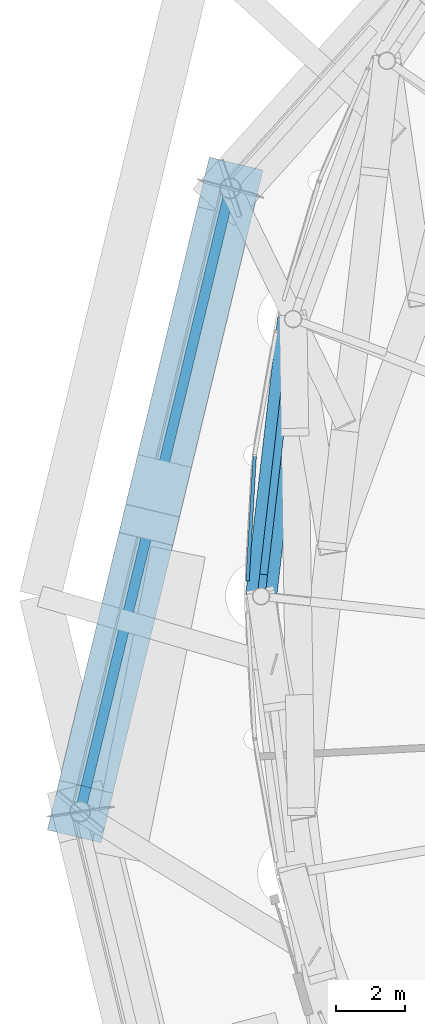
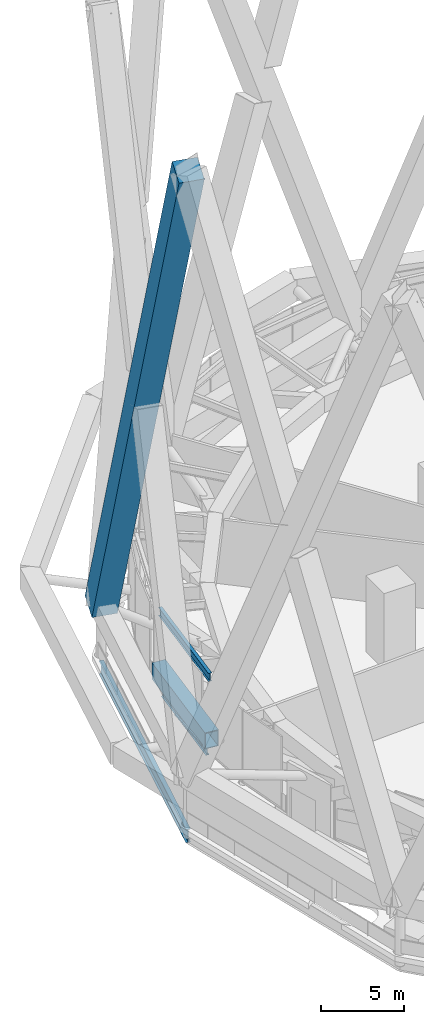
# One storey, part 19 of 65: 4 beams, 2 members, 1 element without a shape of its own.
"""IFC4 building model written with IfcOpenShell, lengths in metres."""

import ifcopenshell
import ifcopenshell.guid

model = None  # the IFC model being written
_history = None  # IfcOwnerHistory: only IFC2X3 demands one
_inside = {}  # id of a spatial element -> (the spatial element, [elements in it])
_under = {}  # id of a project, library or spatial element -> (it, [spatial elements below it])
_declared = {}  # id of a project -> (the project, [libraries it declares])
_typed = {}  # id of a type object -> (the type object, [elements of that type])
_made_of = {}  # id of a material, layer set ... -> (it, [elements and type objects made of it])


def new_model(schema):
    """Start an empty IFC model of exactly this schema.

    Asked for "IFC4X3", IfcOpenShell would pick the latest addendum, in which some entities
    have other attributes; the version numbers below select the first issue.
    IFC2X3 requires an IfcOwnerHistory on every rooted entity: one is made here for all.
    """
    global model, _history
    if schema == "IFC4X3":
        model = ifcopenshell.file(schema_version=(4, 3, 0, 0))
    else:
        model = ifcopenshell.file(schema=schema)
    _inside.clear()
    _under.clear()
    _declared.clear()
    _typed.clear()
    _made_of.clear()
    _history = None
    if model.schema == "IFC2X3":
        org = make("IfcOrganization", Name="unknown")
        user = make(
            "IfcPersonAndOrganization",
            ThePerson=make("IfcPerson", FamilyName="unknown"),
            TheOrganization=org,
        )
        app = make(
            "IfcApplication",
            ApplicationDeveloper=org,
            Version="unknown",
            ApplicationFullName="unknown",
            ApplicationIdentifier="unknown",
        )
        _history = make(
            "IfcOwnerHistory",
            OwningUser=user,
            OwningApplication=app,
            ChangeAction="ADDED",
            CreationDate=0,
        )
    return model


def make(cls, **values):
    """One entity of the class cls with the attributes given. An attribute that is None is left unset."""
    return model.create_entity(
        cls, **{name: value for name, value in values.items() if value is not None}
    )


def rooted(cls, **values):
    """An entity with a GlobalId (a new one), such as an element, a storey or a relation."""
    return make(cls, GlobalId=ifcopenshell.guid.new(), OwnerHistory=_history, **values)


def si_unit(unit_type, name, prefix=None):
    """IfcSIUnit, for example si_unit("LENGTHUNIT", "METRE", prefix="MILLI")."""
    return make("IfcSIUnit", UnitType=unit_type, Prefix=prefix, Name=name)


def assignment(units):
    """IfcUnitAssignment: the units of a project."""
    return None if units is None else make("IfcUnitAssignment", Units=units)


def point(xyz):
    """IfcCartesianPoint."""
    return None if xyz is None else make("IfcCartesianPoint", Coordinates=xyz)


def direction(xyz):
    """IfcDirection."""
    return None if xyz is None else make("IfcDirection", DirectionRatios=xyz)


def frame(location, z_axis=None, x_axis=None):
    """IfcAxis2Placement3D, a coordinate frame: its origin and axes. An axis left out is left unset."""
    return make(
        "IfcAxis2Placement3D",
        Location=point(location),
        Axis=direction(z_axis),
        RefDirection=direction(x_axis),
    )


def frame_2d(location, x_axis=None):
    """IfcAxis2Placement2D, a coordinate frame in the plane: its origin and x axis."""
    return make(
        "IfcAxis2Placement2D", Location=point(location), RefDirection=direction(x_axis)
    )


def origin():
    """The frame at (0, 0, 0) with its axes left unset."""
    return frame((0.0, 0.0, 0.0))


def origin_2d():
    """The frame at (0, 0) in the plane with its x axis left unset."""
    return frame_2d((0.0, 0.0))


def place(relative_to, where):
    """IfcLocalPlacement: puts the frame where relative to a parent placement (None: the world)."""
    return make(
        "IfcLocalPlacement", PlacementRelTo=relative_to, RelativePlacement=where
    )


def context(
    kind, dimensions, precision=None, world=None, true_north=None, identifier=None
):
    """IfcGeometricRepresentationContext, for example the 3D "Model" context."""
    return make(
        "IfcGeometricRepresentationContext",
        ContextIdentifier=identifier,
        ContextType=kind,
        CoordinateSpaceDimension=dimensions,
        Precision=precision,
        WorldCoordinateSystem=world,
        TrueNorth=true_north,
    )


def subcontext(parent, identifier, kind, view, scale=None):
    """IfcGeometricRepresentationSubContext, for example "Body" below "Model"."""
    return make(
        "IfcGeometricRepresentationSubContext",
        ContextIdentifier=identifier,
        ContextType=kind,
        ParentContext=parent,
        TargetScale=scale,
        TargetView=view,
    )


def project(units=None, contexts=None):
    """IfcProject with its units and contexts."""
    return rooted(
        "IfcProject",
        Name="project",
        RepresentationContexts=contexts,
        UnitsInContext=assignment(units),
    )


def spatial(cls, under=None, at=None, **own):
    """A site, building, storey or space (cls), placed at a placement, below another one or the project."""
    s = rooted(cls, ObjectPlacement=at, **own)
    if under is not None:
        _under.setdefault(under.id(), (under, []))[1].append(s)
    return s


def profile(cls, at=None, kind="AREA", **sizes):
    """A parametric profile (cls). Its sizes go by their IFC names, for example OverallWidth=200.0."""
    return make(cls, ProfileType=kind, Position=at, **sizes)


def rectangle(**sizes):
    """IfcRectangleProfileDef."""
    return profile("IfcRectangleProfileDef", **sizes)


def hollow_rectangle(**sizes):
    """IfcRectangleHollowProfileDef."""
    return profile("IfcRectangleHollowProfileDef", **sizes)


def i_section(**sizes):
    """IfcIShapeProfileDef."""
    return profile("IfcIShapeProfileDef", **sizes)


def extrude(swept, where, along, depth):
    """IfcExtrudedAreaSolid: the profile swept, set in the frame where, extruded along a direction by depth."""
    return make(
        "IfcExtrudedAreaSolid",
        SweptArea=swept,
        Position=where,
        ExtrudedDirection=direction(along),
        Depth=depth,
    )


def shape(context_of_items, identifier, shape_type, items):
    """IfcShapeRepresentation: the items that make up one representation, for example the "Body"."""
    return make(
        "IfcShapeRepresentation",
        ContextOfItems=context_of_items,
        RepresentationIdentifier=identifier,
        RepresentationType=shape_type,
        Items=items,
    )


def material(Name=None, Category=None):
    """IfcMaterial."""
    return make("IfcMaterial", Name=Name, Category=Category)


def layer(
    of_material, thickness, ventilated=None, Name=None, Category=None, Priority=None
):
    """IfcMaterialLayer: one layer of a wall or slab, of a material (None: an air gap)."""
    return make(
        "IfcMaterialLayer",
        Material=of_material,
        LayerThickness=thickness,
        IsVentilated=ventilated,
        Name=Name,
        Category=Category,
        Priority=Priority,
    )


def layer_set(layers, Name=None):
    """IfcMaterialLayerSet."""
    return make("IfcMaterialLayerSet", MaterialLayers=layers, LayerSetName=Name)


def material_profile(
    of_material, cross_section, Name=None, Category=None, Priority=None
):
    """IfcMaterialProfile: a cross section and its material."""
    return make(
        "IfcMaterialProfile",
        Name=Name,
        Material=of_material,
        Profile=cross_section,
        Priority=Priority,
        Category=Category,
    )


def profile_set(profiles, Name=None, composite=None):
    """IfcMaterialProfileSet."""
    return make(
        "IfcMaterialProfileSet",
        Name=Name,
        MaterialProfiles=profiles,
        CompositeProfile=composite,
    )


def made_of(thing, what):
    """Note that an element or type object is made of a material, layer set ...; save() writes the relation."""
    if what is not None:
        _made_of.setdefault(what.id(), (what, []))[1].append(thing)
    return thing


def type_object(cls, material=None, **own):
    """A type object (cls), such as IfcWallType, which elements share."""
    return made_of(rooted(cls, **own), material)


def element(
    cls,
    number,
    at=None,
    inside=None,
    cuts=None,
    type_object=None,
    material=None,
    context=None,
    identifier="Body",
    shape_type=None,
    held_by="IfcProductDefinitionShape",
    body=None,
    shapes=None,
    **own,
):
    """One element of the class cls, such as IfcWall. Its Tag is "e" and its number.

    at: its placement. inside: the storey or other place that contains it. cuts: it is an
    opening in that element (IfcRelVoidsElement). A single representation is given by context,
    identifier, shape_type and body (its items); several are given by shapes. held_by: the class
    of the entity that holds the representations. save() writes the other relations.
    """
    e = rooted(cls, Tag="e%d" % number, ObjectPlacement=at, **own)
    if body is not None:
        shapes = [shape(context, identifier, shape_type, body)]
    if shapes is not None:
        e.Representation = make(held_by, Representations=shapes)
    if inside is not None:
        _inside.setdefault(inside.id(), (inside, []))[1].append(e)
    if cuts is not None:
        rooted(
            "IfcRelVoidsElement", RelatingBuildingElement=cuts, RelatedOpeningElement=e
        )
    if type_object is not None:
        _typed.setdefault(type_object.id(), (type_object, []))[1].append(e)
    return made_of(e, material)


def aggregate(whole, parts):
    """IfcRelAggregates: a whole, such as a stair, and the parts it consists of."""
    return rooted("IfcRelAggregates", RelatingObject=whole, RelatedObjects=parts)


def save(model, path):
    """Write the relations noted so far, then the file.

    IfcRelAggregates (storeys below a building ...), IfcRelContainedInSpatialStructure (elements
    in a storey), IfcRelDefinesByType, IfcRelAssociatesMaterial and IfcRelDeclares: one each for
    every whole, place, type object, material and project.
    """
    for whole, parts in _under.values():
        aggregate(whole, parts)
    for where, things in _inside.values():
        rooted(
            "IfcRelContainedInSpatialStructure",
            RelatedElements=things,
            RelatingStructure=where,
        )
    for kind, things in _typed.values():
        rooted("IfcRelDefinesByType", RelatedObjects=things, RelatingType=kind)
    for what, things in _made_of.values():
        rooted("IfcRelAssociatesMaterial", RelatedObjects=things, RelatingMaterial=what)
    for by, libraries in _declared.values():
        rooted("IfcRelDeclares", RelatingContext=by, RelatedDefinitions=libraries)
    model.write(path)


model = new_model("IFC4")

# Units and contexts
model_context = context("Model", 3, precision=1e-05, world=origin(), true_north=direction((0.0, 1.0)))
body_context = subcontext(model_context, "Body", "Model", "MODEL_VIEW")
ifc_project = project(units=[si_unit("LENGTHUNIT", "METRE"), si_unit("AREAUNIT", "SQUARE_METRE"), si_unit("VOLUMEUNIT", "CUBIC_METRE"), si_unit("PLANEANGLEUNIT", "RADIAN"), si_unit("MASSUNIT", "GRAM", prefix="KILO")], contexts=[model_context])

# Site, building, storey
site_placement = place(None, origin())
site = spatial("IfcSite", under=ifc_project, at=site_placement, CompositionType="ELEMENT")
building_placement = place(site_placement, origin())
building = spatial("IfcBuilding", under=site, at=building_placement, Name="Nagisa Residences", CompositionType="ELEMENT")
storey_placement = place(building_placement, frame((0.0, 0.0, 114.0)))
storey = spatial("IfcBuildingStorey", under=building, at=storey_placement, Name="L28", CompositionType="ELEMENT", Elevation=114.0)

# Beam
ifc_material_1 = material(Name="Steel ASTM A572 Gr 50", Category="steel")
ifc_material_profile_1 = material_profile(ifc_material_1, hollow_rectangle(XDim=0.89990234375, YDim=1.199951171875, WallThickness=0.050048828125, at=origin_2d()), Name="BX 900x1200x50")
ifc_profile_set_1 = profile_set([ifc_material_profile_1], Name="Steel ASTM A572 Gr 50")
beam_type_1 = type_object("IfcBeamType", Name="Belt chord 2 BX 900x1200x50", PredefinedType="BEAM", material=ifc_profile_set_1)
beam_1_placement = place(storey_placement, frame((-28.068359375, 11.14501953125, 0.60009765625), z_axis=(-0.114688326787, -0.993401523906, 0.0), x_axis=(0.993401523906, -0.114688326787, 0.0)))
element("IfcBeam", 1, at=beam_1_placement, inside=storey, type_object=beam_type_1, Name="beam:L28:bt2b12", PredefinedType="BEAM", context=body_context, shape_type="SweptSolid", body=[
    extrude(hollow_rectangle(XDim=0.89990234375, YDim=1.199951171875, WallThickness=0.050048828125, at=origin_2d()), origin(), (0.0, 0.0, 1.0), 8.08056640625),
])

# Curtain wall, member
ifc_material_2 = material(Name="Aluminium curtain wall system", Category="aluminium")
ifc_layer = layer(ifc_material_2, 0.159912109375)
ifc_layer_set = layer_set([ifc_layer], Name="CW5 CURTAIN WALL")
curtain_wall_type = type_object("IfcCurtainWallType", Name="CW5 CURTAIN WALL", PredefinedType="NOTDEFINED", material=ifc_layer_set)
curtain_wall_placement = place(storey_placement, origin())
curtain_wall = element("IfcCurtainWall", 2, at=curtain_wall_placement, inside=storey, type_object=curtain_wall_type, Name="cw:CW5:L28:23", PredefinedType="NOTDEFINED")
ifc_material_3 = material(Name="Aluminium", Category="aluminium")
ifc_material_profile_2 = material_profile(ifc_material_3, rectangle(XDim=0.10009765625, YDim=0.1201171875, at=origin_2d()), Name="CW5 TRANSOM 100x120")
ifc_profile_set_2 = profile_set([ifc_material_profile_2], Name="Aluminium")
member_type_1 = type_object("IfcMemberType", Name="CW5 TRANSOM 100x120", PredefinedType="USERDEFINED", material=ifc_profile_set_2)
member_1_placement = place(storey_placement, frame((-29.17822265625, 7.2265625, 0.06005859375), z_axis=(-0.05747031742, -0.998347215459, 0.0), x_axis=(0.998347215459, -0.05747031742, 0.0)))
member_1 = element("IfcMember", 3, at=member_1_placement, type_object=member_type_1, Name="CW5 transom", ObjectType="TRANSOM", PredefinedType="USERDEFINED", context=body_context, shape_type="SweptSolid", body=[
    extrude(rectangle(XDim=0.10009765625, YDim=0.1201171875, at=origin_2d()), origin(), (0.0, 0.0, 1.0), 3.67041015625),
])
aggregate(curtain_wall, [member_1])

# Member
ifc_material_4 = material(Name="Concrete C80", Category="concrete")
ifc_material_profile_3 = material_profile(ifc_material_4, rectangle(XDim=1.60009765625, YDim=1.60009765625, at=origin_2d()), Name="C80 1600x1600")
ifc_profile_set_3 = profile_set([ifc_material_profile_3], Name="Concrete C80")
member_type_2 = type_object("IfcMemberType", Name="Cage diagonal 3 C80 1600x1600", PredefinedType="BRACE", material=ifc_profile_set_3)
member_2_placement = place(storey_placement, frame((-29.8896484375, 14.9296875, 3.699951171875), z_axis=(-0.090123715752, -0.3742977311, 0.922918698669), x_axis=(0.972214769052, -0.234090672254, 0.0)))
element("IfcMember", 4, at=member_2_placement, inside=storey, type_object=member_type_2, Name="mem:L28:cg3d011", PredefinedType="BRACE", context=body_context, shape_type="SweptSolid", body=[
    extrude(rectangle(XDim=1.60009765625, YDim=1.60009765625, at=origin_2d()), origin(), (0.0, 0.0, 1.0), 48.216552734375),
])

# Beams
ifc_material_5 = material(Name="Steel ASTM A572 Gr 50", Category="steel")
ifc_material_profile_4 = material_profile(ifc_material_5, i_section(OverallWidth=0.300048828125, OverallDepth=0.97998046875, WebThickness=0.0166015625, FlangeThickness=0.02587890625, at=origin_2d()), Name="W1000x249")
ifc_profile_set_4 = profile_set([ifc_material_profile_4], Name="Steel ASTM A572 Gr 50")
beam_type_2 = type_object("IfcBeamType", Name="Deck edge beam W1000x249", PredefinedType="BEAM", material=ifc_profile_set_4)
beam_2_placement = place(storey_placement, frame((-29.8896484375, 14.9296875, -0.889892578125), z_axis=(-0.234090672254, -0.972214769052, 0.0), x_axis=(0.972214769052, -0.234090672254, 0.0)))
element("IfcBeam", 5, at=beam_2_placement, inside=storey, type_object=beam_type_2, Name="beam:L28:deckedge04", PredefinedType="BEAM", context=body_context, shape_type="SweptSolid", body=[
    extrude(i_section(OverallWidth=0.300048828125, OverallDepth=0.97998046875, WebThickness=0.0166015625, FlangeThickness=0.02587890625, at=origin_2d()), origin(), (0.0, 0.0, 1.0), 18.563232421875),
])
ifc_material_6 = material(Name="Steel ASTM A572 Gr 50", Category="steel")
ifc_material_profile_5 = material_profile(ifc_material_6, i_section(OverallWidth=0.22802734375, OverallDepth=0.60302734375, WebThickness=0.010498046875, FlangeThickness=0.014892578125, at=origin_2d()), Name="W610x101")
ifc_profile_set_5 = profile_set([ifc_material_profile_5], Name="Steel ASTM A572 Gr 50")
beam_type_3 = type_object("IfcBeamType", Name="Garden edge beam W610x101", PredefinedType="BEAM", material=ifc_profile_set_5)
beam_3_placement = place(storey_placement, frame((-28.09521484375, 10.91259765625, 5.03857421875), z_axis=(-0.11468253616, -0.993402192418, 0.0), x_axis=(0.993402192418, -0.11468253616, 0.0)))
element("IfcBeam", 6, at=beam_3_placement, inside=storey, type_object=beam_type_3, Name="beam:L28:bt2ge12", PredefinedType="BEAM", context=body_context, shape_type="SweptSolid", body=[
    extrude(i_section(OverallWidth=0.22802734375, OverallDepth=0.60302734375, WebThickness=0.010498046875, FlangeThickness=0.014892578125, at=origin_2d()), origin(), (0.0, 0.0, 1.0), 7.61279296875),
])
ifc_material_7 = material(Name="Steel ASTM A572 Gr 50", Category="steel")
ifc_material_profile_6 = material_profile(ifc_material_7, i_section(OverallWidth=0.22900390625, OverallDepth=0.612060546875, WebThickness=0.011962890625, FlangeThickness=0.01953125, at=origin_2d()), Name="W610x125")
ifc_profile_set_6 = profile_set([ifc_material_profile_6], Name="Steel ASTM A572 Gr 50")
beam_type_4 = type_object("IfcBeamType", Name="Perimeter ring beam W610x125", PredefinedType="BEAM", material=ifc_profile_set_6)
beam_4_placement = place(storey_placement, frame((-28.14111328125, 10.5146484375, -0.656005859375), z_axis=(-0.114690766503, -0.993401242237, 0.0), x_axis=(0.993401242237, -0.114690766503, 0.0)))
element("IfcBeam", 7, at=beam_4_placement, inside=storey, type_object=beam_type_4, Name="beam:L28:pb12", PredefinedType="BEAM", context=body_context, shape_type="SweptSolid", body=[
    extrude(i_section(OverallWidth=0.22900390625, OverallDepth=0.612060546875, WebThickness=0.011962890625, FlangeThickness=0.01953125, at=origin_2d()), origin(), (0.0, 0.0, 1.0), 6.811767578125),
])

save(model, "model.ifc")
